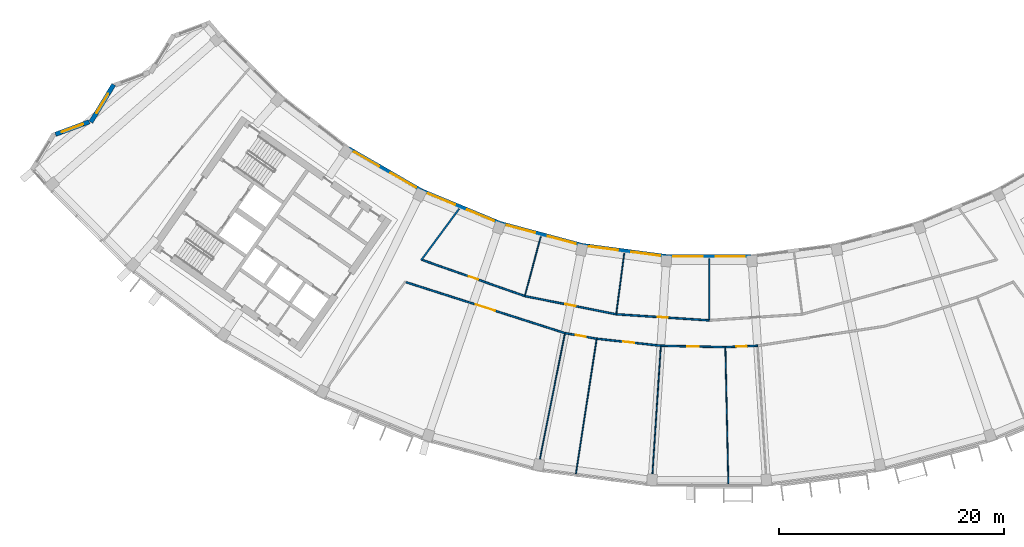
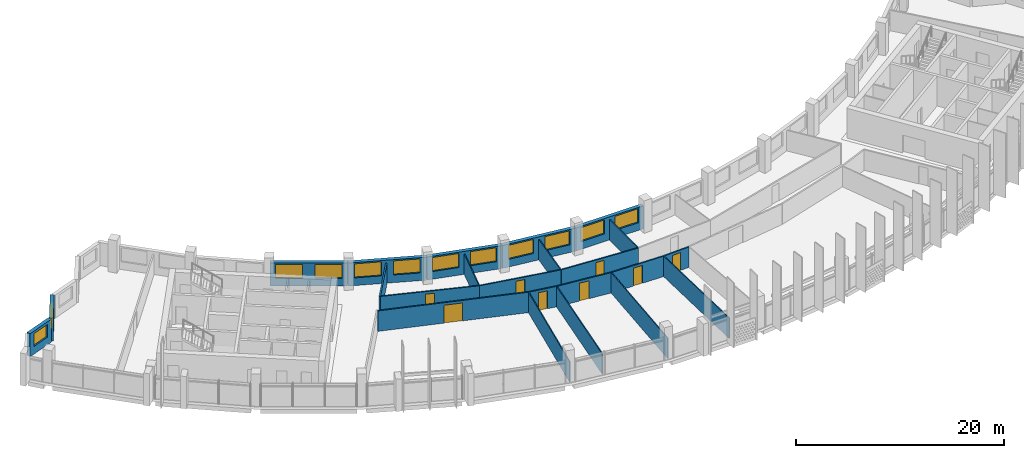
# One storey, part 4 of 28: 23 walls, 12 windows, 8 doors, 20 openings.
"""IFC4 building model written with IfcOpenShell, lengths in metres."""

from ifc_helpers import new_model, si_unit, direction, frame, frame_2d, origin, place, context, subcontext, project, spatial, rectangle, extrude, material, layer, layer_set, type_object, element, fill, save


model = new_model("IFC4")

# Units and contexts
model_context = context("Model", 3, precision=1e-05, world=origin(), true_north=direction((0.0, 1.0)))
body_context = subcontext(model_context, "Body", "Model", "MODEL_VIEW")
ifc_project = project(units=[si_unit("LENGTHUNIT", "METRE"), si_unit("AREAUNIT", "SQUARE_METRE"), si_unit("VOLUMEUNIT", "CUBIC_METRE"), si_unit("PLANEANGLEUNIT", "RADIAN"), si_unit("MASSUNIT", "GRAM", prefix="KILO")], contexts=[model_context])

# Site, building, storey
site_placement = place(None, origin())
site = spatial("IfcSite", under=ifc_project, at=site_placement, CompositionType="ELEMENT")
building_placement = place(site_placement, origin())
building = spatial("IfcBuilding", under=site, at=building_placement, Name="Qamariyya Broadcast Tower", CompositionType="ELEMENT")
storey_placement = place(building_placement, frame((0.0, 0.0, 273.300048828125)))
storey = spatial("IfcBuildingStorey", under=building, at=storey_placement, Name="L66", CompositionType="ELEMENT", Elevation=273.300048828125)

# Wall, opening, door
ifc_material_1 = material(Name="Gypsum board partition")
ifc_layer_1 = layer(ifc_material_1, 0.14990234375)
ifc_layer_set_1 = layer_set([ifc_layer_1], Name="Corridor partition 150 EI 60")
wall_type_1 = type_object("IfcWallType", Name="Corridor partition 150 EI 60", PredefinedType="PARTITIONING", material=ifc_layer_set_1)
wall_1_placement = place(storey_placement, frame((-12.8369140625, -64.53564453125, 0.0), z_axis=(0.0, 0.0, 1.0), x_axis=(-0.952317244824, 0.305109595408, 0.0)))
wall_1 = element("IfcWall", 1, at=wall_1_placement, inside=storey, type_object=wall_type_1, Name="Partition L66-003", PredefinedType="PARTITIONING", context=body_context, shape_type="SweptSolid", body=[
    extrude(rectangle(XDim=14.857666015625, YDim=0.14990234375, at=frame_2d((7.4287109375, 0.0))), origin(), (0.0, 0.0, 1.0), 2.39990234375),
])
opening_1_placement = place(wall_1_placement, frame((6.52880859375, 0.0, 0.0)))
opening_1 = element("IfcOpeningElement", 2, at=opening_1_placement, cuts=wall_1, Name="Opening L66-D01", PredefinedType="OPENING", context=body_context, shape_type="SweptSolid", body=[
    extrude(rectangle(XDim=1.800048828125, YDim=2.10009765625, at=frame_2d((0.89990234375, 1.050048828125))), frame((0.0, 0.0849609375, 0.0), z_axis=(0.0, -1.0, 0.0), x_axis=(1.0, 0.0, 0.0)), (0.0, 0.0, 1.0), 0.169921875),
])
ifc_material_2 = material(Name="Timber fire door leaf", Category="wood")
door_type_1 = type_object("IfcDoorType", Name="Double fire door 1800 x 2100 FD60", OperationType="NOTDEFINED", PredefinedType="DOOR", material=ifc_material_2)
door_1_placement = place(opening_1_placement, origin())
door_1 = element("IfcDoor", 3, at=door_1_placement, inside=storey, type_object=door_type_1, Name="Door L66-D01", OperationType="DOUBLE_DOOR_SINGLE_SWING", OverallHeight=2.10009765625, OverallWidth=1.800048828125, PredefinedType="DOOR", context=body_context, shape_type="SweptSolid", body=[
    extrude(rectangle(XDim=1.800048828125, YDim=2.10009765625, at=frame_2d((0.89990234375, 1.050048828125))), frame((0.0, 0.02490234375, 0.0), z_axis=(0.0, -1.0, 0.0), x_axis=(1.0, 0.0, 0.0)), (0.0, 0.0, 1.0), 0.050048828125),
])
fill(opening_1, door_1)

wall_2_placement = place(storey_placement, frame((-25.52734375, -58.027587890625, 0.0), z_axis=(0.0, 0.0, 1.0), x_axis=(0.94318552037, -0.332266570941, 0.0)))
wall_2 = element("IfcWall", 4, at=wall_2_placement, inside=storey, type_object=wall_type_1, Name="Partition L66-004", PredefinedType="PARTITIONING", context=body_context, shape_type="SweptSolid", body=[
    extrude(rectangle(XDim=9.66748046875, YDim=0.14990234375, at=frame_2d((4.833740234375, 0.0))), origin(), (0.0, 0.0, 1.0), 2.39990234375),
])
opening_2_placement = place(wall_2_placement, frame((4.3837890625, 0.0, 0.0)))
opening_2 = element("IfcOpeningElement", 5, at=opening_2_placement, cuts=wall_2, Name="Opening L66-D08", PredefinedType="OPENING", context=body_context, shape_type="SweptSolid", body=[
    extrude(rectangle(XDim=0.89990234375, YDim=2.10009765625, at=frame_2d((0.449951171875, 1.050048828125))), frame((0.0, 0.0849609375, 0.0), z_axis=(0.0, -1.0, 0.0), x_axis=(1.0, 0.0, 0.0)), (0.0, 0.0, 1.0), 0.169921875),
])
door_type_2 = type_object("IfcDoorType", Name="Fire door 900 x 2100 FD60", OperationType="NOTDEFINED", PredefinedType="DOOR", material=ifc_material_2)
door_2_placement = place(opening_2_placement, origin())
door_2 = element("IfcDoor", 6, at=door_2_placement, inside=storey, type_object=door_type_2, Name="Door L66-D08", OperationType="SINGLE_SWING_RIGHT", OverallHeight=2.10009765625, OverallWidth=0.89990234375, PredefinedType="DOOR", context=body_context, shape_type="SweptSolid", body=[
    extrude(rectangle(XDim=0.89990234375, YDim=2.10009765625, at=frame_2d((0.449951171875, 1.050048828125))), frame((0.0, 0.02490234375, 0.0), z_axis=(0.0, -1.0, 0.0), x_axis=(1.0, 0.0, 0.0)), (0.0, 0.0, 1.0), 0.050048828125),
])
fill(opening_2, door_2)

# Wall
wall_3_placement = place(storey_placement, frame((-22.251953125, -53.469482421875, 0.0), z_axis=(0.0, 0.0, 1.0), x_axis=(-0.593872728047, -0.804558999006, 0.0)))
element("IfcWall", 7, at=wall_3_placement, inside=storey, type_object=wall_type_1, Name="Partition L66-005", PredefinedType="PARTITIONING", context=body_context, shape_type="SweptSolid", body=[
    extrude(rectangle(XDim=5.709228515625, YDim=0.14990234375, at=frame_2d((2.8544921875, 0.0))), origin(), (0.0, 0.0, 1.0), 2.39990234375),
])

# Wall, opening, door
wall_4_placement = place(storey_placement, frame((-16.4091796875, -61.23974609375, 0.0), z_axis=(0.0, 0.0, 1.0), x_axis=(0.98078508005, -0.195091329256, 0.0)))
wall_4 = element("IfcWall", 8, at=wall_4_placement, inside=storey, type_object=wall_type_1, Name="Partition L66-006", PredefinedType="PARTITIONING", context=body_context, shape_type="SweptSolid", body=[
    extrude(rectangle(XDim=8.293212890625, YDim=0.14990234375, at=frame_2d((4.146484375, 0.0))), origin(), (0.0, 0.0, 1.0), 2.39990234375),
])
opening_3_placement = place(wall_4_placement, frame((3.696533203125, 0.0, 0.0)))
opening_3 = element("IfcOpeningElement", 9, at=opening_3_placement, cuts=wall_4, Name="Opening L66-D09", PredefinedType="OPENING", context=body_context, shape_type="SweptSolid", body=[
    extrude(rectangle(XDim=0.89990234375, YDim=2.10009765625, at=frame_2d((0.449951171875, 1.050048828125))), frame((0.0, 0.0849609375, 0.0), z_axis=(0.0, -1.0, 0.0), x_axis=(1.0, 0.0, 0.0)), (0.0, 0.0, 1.0), 0.169921875),
])
door_3_placement = place(opening_3_placement, origin())
door_3 = element("IfcDoor", 10, at=door_3_placement, inside=storey, type_object=door_type_2, Name="Door L66-D09", OperationType="SINGLE_SWING_RIGHT", OverallHeight=2.10009765625, OverallWidth=0.89990234375, PredefinedType="DOOR", context=body_context, shape_type="SweptSolid", body=[
    extrude(rectangle(XDim=0.89990234375, YDim=2.10009765625, at=frame_2d((0.449951171875, 1.050048828125))), frame((0.0, 0.02490234375, 0.0), z_axis=(0.0, -1.0, 0.0), x_axis=(1.0, 0.0, 0.0)), (0.0, 0.0, 1.0), 0.050048828125),
])
fill(opening_3, door_3)

wall_5_placement = place(storey_placement, frame((-10.011474609375, -65.033935546875, 0.0), z_axis=(0.0, 0.0, 1.0), x_axis=(-0.984802399532, 0.173678536027, 0.0)))
wall_5 = element("IfcWall", 11, at=wall_5_placement, inside=storey, type_object=wall_type_1, Name="Partition L66-009", PredefinedType="PARTITIONING", context=body_context, shape_type="SweptSolid", body=[
    extrude(rectangle(XDim=2.869140625, YDim=0.14990234375, at=frame_2d((1.4345703125, 0.0))), origin(), (0.0, 0.0, 1.0), 2.39990234375),
])
opening_4_placement = place(wall_5_placement, frame((0.984619140625, 0.0, 0.0)))
opening_4 = element("IfcOpeningElement", 12, at=opening_4_placement, cuts=wall_5, Name="Opening L66-D02", PredefinedType="OPENING", context=body_context, shape_type="SweptSolid", body=[
    extrude(rectangle(XDim=0.89990234375, YDim=2.10009765625, at=frame_2d((0.449951171875, 1.050048828125))), frame((0.0, 0.0849609375, 0.0), z_axis=(0.0, -1.0, 0.0), x_axis=(1.0, 0.0, 0.0)), (0.0, 0.0, 1.0), 0.169921875),
])
door_4_placement = place(opening_4_placement, origin())
door_4 = element("IfcDoor", 13, at=door_4_placement, inside=storey, type_object=door_type_2, Name="Door L66-D02", OperationType="SINGLE_SWING_RIGHT", OverallHeight=2.10009765625, OverallWidth=0.89990234375, PredefinedType="DOOR", context=body_context, shape_type="SweptSolid", body=[
    extrude(rectangle(XDim=0.89990234375, YDim=2.10009765625, at=frame_2d((0.449951171875, 1.050048828125))), frame((0.0, 0.02490234375, 0.0), z_axis=(0.0, -1.0, 0.0), x_axis=(1.0, 0.0, 0.0)), (0.0, 0.0, 1.0), 0.050048828125),
])
fill(opening_4, door_4)

wall_6_placement = place(storey_placement, frame((-4.303466796875, -65.6591796875, 0.0), z_axis=(0.0, 0.0, 1.0), x_axis=(-0.99405415906, 0.108886770802, 0.0)))
wall_6 = element("IfcWall", 14, at=wall_6_placement, inside=storey, type_object=wall_type_1, Name="Partition L66-011", PredefinedType="PARTITIONING", context=body_context, shape_type="SweptSolid", body=[
    extrude(rectangle(XDim=5.7421875, YDim=0.14990234375, at=frame_2d((2.87109375, 0.0))), origin(), (0.0, 0.0, 1.0), 2.39990234375),
])
opening_5_placement = place(wall_6_placement, frame((2.37109375, 0.0, 0.0)))
opening_5 = element("IfcOpeningElement", 15, at=opening_5_placement, cuts=wall_6, Name="Opening L66-D03", PredefinedType="OPENING", context=body_context, shape_type="SweptSolid", body=[
    extrude(rectangle(XDim=1.0, YDim=2.10009765625, at=frame_2d((0.5, 1.050048828125))), frame((0.0, 0.0849609375, 0.0), z_axis=(0.0, -1.0, 0.0), x_axis=(1.0, 0.0, 0.0)), (0.0, 0.0, 1.0), 0.169921875),
])
door_type_3 = type_object("IfcDoorType", Name="Fire door 1000 x 2100 FD60", OperationType="NOTDEFINED", PredefinedType="DOOR", material=ifc_material_2)
door_5_placement = place(opening_5_placement, origin())
door_5 = element("IfcDoor", 16, at=door_5_placement, inside=storey, type_object=door_type_3, Name="Door L66-D03", OperationType="SINGLE_SWING_RIGHT", OverallHeight=2.10009765625, OverallWidth=1.0, PredefinedType="DOOR", context=body_context, shape_type="SweptSolid", body=[
    extrude(rectangle(XDim=1.0, YDim=2.10009765625, at=frame_2d((0.5, 1.050048828125))), frame((0.0, 0.02490234375, 0.0), z_axis=(0.0, -1.0, 0.0), x_axis=(1.0, 0.0, 0.0)), (0.0, 0.0, 1.0), 0.050048828125),
])
fill(opening_5, door_5)

wall_7_placement = place(storey_placement, frame((-8.275390625, -62.857666015625, 0.0), z_axis=(0.0, 0.0, 1.0), x_axis=(0.997860193426, -0.065383747038, 0.0)))
wall_7 = element("IfcWall", 17, at=wall_7_placement, inside=storey, type_object=wall_type_1, Name="Partition L66-012", PredefinedType="PARTITIONING", context=body_context, shape_type="SweptSolid", body=[
    extrude(rectangle(XDim=8.293212890625, YDim=0.14990234375, at=frame_2d((4.146484375, 0.0))), origin(), (0.0, 0.0, 1.0), 2.39990234375),
])
opening_6_placement = place(wall_7_placement, frame((3.696533203125, 0.0, 0.0)))
opening_6 = element("IfcOpeningElement", 18, at=opening_6_placement, cuts=wall_7, Name="Opening L66-D10", PredefinedType="OPENING", context=body_context, shape_type="SweptSolid", body=[
    extrude(rectangle(XDim=0.89990234375, YDim=2.10009765625, at=frame_2d((0.449951171875, 1.050048828125))), frame((0.0, 0.0849609375, 0.0), z_axis=(0.0, -1.0, 0.0), x_axis=(1.0, 0.0, 0.0)), (0.0, 0.0, 1.0), 0.169921875),
])
door_6_placement = place(opening_6_placement, origin())
door_6 = element("IfcDoor", 19, at=door_6_placement, inside=storey, type_object=door_type_2, Name="Door L66-D10", OperationType="SINGLE_SWING_RIGHT", OverallHeight=2.10009765625, OverallWidth=0.89990234375, PredefinedType="DOOR", context=body_context, shape_type="SweptSolid", body=[
    extrude(rectangle(XDim=0.89990234375, YDim=2.10009765625, at=frame_2d((0.449951171875, 1.050048828125))), frame((0.0, 0.02490234375, 0.0), z_axis=(0.0, -1.0, 0.0), x_axis=(1.0, 0.0, 0.0)), (0.0, 0.0, 1.0), 0.050048828125),
])
fill(opening_6, door_6)

wall_8_placement = place(storey_placement, frame((1.437255859375, -65.7841796875, 0.0), z_axis=(0.0, 0.0, 1.0), x_axis=(-0.999763025016, 0.021769102186, 0.0)))
wall_8 = element("IfcWall", 20, at=wall_8_placement, inside=storey, type_object=wall_type_1, Name="Partition L66-015", PredefinedType="PARTITIONING", context=body_context, shape_type="SweptSolid", body=[
    extrude(rectangle(XDim=5.7421875, YDim=0.14990234375, at=frame_2d((2.87109375, 0.0))), origin(), (0.0, 0.0, 1.0), 2.39990234375),
])
opening_7_placement = place(wall_8_placement, frame((2.37109375, 0.0, 0.0)))
opening_7 = element("IfcOpeningElement", 21, at=opening_7_placement, cuts=wall_8, Name="Opening L66-D04", PredefinedType="OPENING", context=body_context, shape_type="SweptSolid", body=[
    extrude(rectangle(XDim=1.0, YDim=2.10009765625, at=frame_2d((0.5, 1.050048828125))), frame((0.0, 0.0849609375, 0.0), z_axis=(0.0, -1.0, 0.0), x_axis=(1.0, 0.0, 0.0)), (0.0, 0.0, 1.0), 0.169921875),
])
door_7_placement = place(opening_7_placement, origin())
door_7 = element("IfcDoor", 22, at=door_7_placement, inside=storey, type_object=door_type_3, Name="Door L66-D04", OperationType="SINGLE_SWING_RIGHT", OverallHeight=2.10009765625, OverallWidth=1.0, PredefinedType="DOOR", context=body_context, shape_type="SweptSolid", body=[
    extrude(rectangle(XDim=1.0, YDim=2.10009765625, at=frame_2d((0.5, 1.050048828125))), frame((0.0, 0.02490234375, 0.0), z_axis=(0.0, -1.0, 0.0), x_axis=(1.0, 0.0, 0.0)), (0.0, 0.0, 1.0), 0.050048828125),
])
fill(opening_7, door_7)

wall_9_placement = place(storey_placement, frame((4.303466796875, -65.6591796875, 0.0), z_axis=(0.0, 0.0, 1.0), x_axis=(-0.999050369269, -0.043570169426, 0.0)))
wall_9 = element("IfcWall", 23, at=wall_9_placement, inside=storey, type_object=wall_type_1, Name="Partition L66-018", PredefinedType="PARTITIONING", context=body_context, shape_type="SweptSolid", body=[
    extrude(rectangle(XDim=2.868896484375, YDim=0.14990234375, at=frame_2d((1.4345703125, 0.0))), origin(), (0.0, 0.0, 1.0), 2.39990234375),
])
opening_8_placement = place(wall_9_placement, frame((0.984619140625, 0.0, 0.0)))
opening_8 = element("IfcOpeningElement", 24, at=opening_8_placement, cuts=wall_9, Name="Opening L66-D05", PredefinedType="OPENING", context=body_context, shape_type="SweptSolid", body=[
    extrude(rectangle(XDim=0.89990234375, YDim=2.10009765625, at=frame_2d((0.449951171875, 1.050048828125))), frame((0.0, 0.0849609375, 0.0), z_axis=(0.0, -1.0, 0.0), x_axis=(1.0, 0.0, 0.0)), (0.0, 0.0, 1.0), 0.169921875),
])
door_8_placement = place(opening_8_placement, origin())
door_8 = element("IfcDoor", 25, at=door_8_placement, inside=storey, type_object=door_type_2, Name="Door L66-D05", OperationType="SINGLE_SWING_RIGHT", OverallHeight=2.10009765625, OverallWidth=0.89990234375, PredefinedType="DOOR", context=body_context, shape_type="SweptSolid", body=[
    extrude(rectangle(XDim=0.89990234375, YDim=2.10009765625, at=frame_2d((0.449951171875, 1.050048828125))), frame((0.0, 0.02490234375, 0.0), z_axis=(0.0, -1.0, 0.0), x_axis=(1.0, 0.0, 0.0)), (0.0, 0.0, 1.0), 0.050048828125),
])
fill(opening_8, door_8)

# Walls
ifc_layer_2 = layer(ifc_material_1, 0.10009765625)
ifc_layer_set_2 = layer_set([ifc_layer_2], Name="Partition 100")
wall_type_2 = type_object("IfcWallType", Name="Partition 100", PredefinedType="PARTITIONING", material=ifc_layer_set_2)
wall_10_placement = place(storey_placement, frame((-15.246337890625, -76.6484375, 0.0), z_axis=(0.0, 0.0, 1.0), x_axis=(0.195090980681, 0.980785149386, 0.0)))
element("IfcWall", 26, at=wall_10_placement, inside=storey, type_object=wall_type_2, Name="Partition L66-007", PredefinedType="PARTITIONING", context=body_context, shape_type="SweptSolid", body=[
    extrude(rectangle(XDim=12.275146484375, YDim=0.10009765625, at=frame_2d((6.1376953125, 0.0))), origin(), (0.0, 0.0, 1.0), 2.39990234375),
])
wall_11_placement = place(storey_placement, frame((-14.992431640625, -55.952880859375, 0.0), z_axis=(0.0, 0.0, 1.0), x_axis=(-0.258825000964, -0.965924230401, 0.0)))
element("IfcWall", 27, at=wall_11_placement, inside=storey, type_object=wall_type_2, Name="Partition L66-008", PredefinedType="PARTITIONING", context=body_context, shape_type="SweptSolid", body=[
    extrude(rectangle(XDim=5.398193359375, YDim=0.10009765625, at=frame_2d((2.69921875, 0.0))), origin(), (0.0, 0.0, 1.0), 2.39990234375),
])
wall_12_placement = place(storey_placement, frame((-11.867919921875, -77.0927734375, 0.0), z_axis=(0.0, 0.0, 1.0), x_axis=(0.152152499911, 0.988357028999, 0.0)))
element("IfcWall", 28, at=wall_12_placement, inside=storey, type_object=wall_type_2, Name="Partition L66-010", PredefinedType="PARTITIONING", context=body_context, shape_type="SweptSolid", body=[
    extrude(rectangle(XDim=12.125732421875, YDim=0.10009765625, at=frame_2d((6.06298828125, 0.0))), origin(), (0.0, 0.0, 1.0), 2.39990234375),
])
wall_13_placement = place(storey_placement, frame((-7.56103515625, -57.430908203125, 0.0), z_axis=(0.0, 0.0, 1.0), x_axis=(-0.130516514475, -0.991446135425, 0.0)))
element("IfcWall", 29, at=wall_13_placement, inside=storey, type_object=wall_type_2, Name="Partition L66-013", PredefinedType="PARTITIONING", context=body_context, shape_type="SweptSolid", body=[
    extrude(rectangle(XDim=5.3984375, YDim=0.10009765625, at=frame_2d((2.69921875, 0.0))), origin(), (0.0, 0.0, 1.0), 2.39990234375),
])
wall_14_placement = place(storey_placement, frame((-5.111328125, -77.982666015625, 0.0), z_axis=(0.0, 0.0, 1.0), x_axis=(0.065415386497, 0.997858119779, 0.0)))
element("IfcWall", 30, at=wall_14_placement, inside=storey, type_object=wall_type_2, Name="Partition L66-014", PredefinedType="PARTITIONING", context=body_context, shape_type="SweptSolid", body=[
    extrude(rectangle(XDim=12.275146484375, YDim=0.10009765625, at=frame_2d((6.1376953125, 0.0))), origin(), (0.0, 0.0, 1.0), 2.39990234375),
])
wall_15_placement = place(storey_placement, frame((0.0, -57.926513671875, 0.0), z_axis=(0.0, 0.0, 1.0), x_axis=(0.0, -1.0, 0.0)))
element("IfcWall", 31, at=wall_15_placement, inside=storey, type_object=wall_type_2, Name="Partition L66-017", PredefinedType="PARTITIONING", context=body_context, shape_type="SweptSolid", body=[
    extrude(rectangle(XDim=5.3984375, YDim=0.10009765625, at=frame_2d((2.69921875, 0.0))), origin(), (0.0, 0.0, 1.0), 2.39990234375),
])
wall_16_placement = place(storey_placement, frame((1.703857421875, -77.982177734375, 0.0), z_axis=(0.0, 0.0, 1.0), x_axis=(-0.02184555579, 0.999761357371, 0.0)))
element("IfcWall", 32, at=wall_16_placement, inside=storey, type_object=wall_type_2, Name="Partition L66-019", PredefinedType="PARTITIONING", context=body_context, shape_type="SweptSolid", body=[
    extrude(rectangle(XDim=12.125732421875, YDim=0.10009765625, at=frame_2d((6.06298828125, 0.0))), origin(), (0.0, 0.0, 1.0), 2.39990234375),
])

# Wall, opening, window
ifc_material_3 = material(Name="Terracotta", Category="masonry")
ifc_layer_3 = layer(ifc_material_3, 0.39990234375)
ifc_layer_set_3 = layer_set([ifc_layer_3], Name="Terracotta clad wall 400")
wall_type_3 = type_object("IfcWallType", Name="Terracotta clad wall 400", PredefinedType="SOLIDWALL", material=ifc_layer_set_3)
wall_17_placement = place(storey_placement, frame((-52.9931640625, -42.418701171875, 0.0), z_axis=(0.0, 0.0, 1.0), x_axis=(-0.519972680958, -0.854182890871, 0.0)))
wall_17 = element("IfcWall", 33, at=wall_17_placement, inside=storey, type_object=wall_type_3, Name="e-wl-L66-capW3", PredefinedType="SOLIDWALL", context=body_context, shape_type="SweptSolid", body=[
    extrude(rectangle(XDim=3.91259765625, YDim=0.39990234375, at=frame_2d((1.956298828125, 0.0))), origin(), (0.0, 0.0, 1.0), 2.699951171875),
])
opening_9_placement = place(wall_17_placement, frame((0.956298828125, 0.0, 0.89990234375)))
opening_9 = element("IfcOpeningElement", 34, at=opening_9_placement, cuts=wall_17, Name="Opening W4", PredefinedType="OPENING", context=body_context, shape_type="SweptSolid", body=[
    extrude(rectangle(XDim=2.0, YDim=1.5, at=frame_2d((1.0, 0.75))), frame((0.0, 0.2099609375, 0.0), z_axis=(0.0, -1.0, 0.0), x_axis=(1.0, 0.0, 0.0)), (0.0, 0.0, 1.0), 0.419921875),
])
ifc_material_4 = material(Name="Clear low-e double glazed unit in aluminium frame", Category="aluminium")
window_type_1 = type_object("IfcWindowType", Name="Horn bay window 2000 x 1500", PartitioningType="SINGLE_PANEL", PredefinedType="WINDOW", material=ifc_material_4)
window_1_placement = place(opening_9_placement, origin())
window_1 = element("IfcWindow", 35, at=window_1_placement, inside=storey, type_object=window_type_1, Name="e-w-L66-capW3", OverallHeight=1.5, OverallWidth=2.0, PartitioningType="SINGLE_PANEL", PredefinedType="WINDOW", context=body_context, shape_type="SweptSolid", body=[
    extrude(rectangle(XDim=2.0, YDim=1.5, at=frame_2d((1.0, 0.75))), frame((0.0, 0.030029296875, 0.0), z_axis=(0.0, -1.0, 0.0), x_axis=(1.0, 0.0, 0.0)), (0.0, 0.0, 1.0), 0.06005859375),
])
fill(opening_9, window_1)

wall_18_placement = place(storey_placement, frame((-55.170654296875, -45.73095703125, 0.0), z_axis=(0.0, 0.0, 1.0), x_axis=(-0.937788327383, -0.347207507153, 0.0)))
wall_18 = element("IfcWall", 36, at=wall_18_placement, inside=storey, type_object=wall_type_3, Name="e-wl-L66-capW4", PredefinedType="SOLIDWALL", context=body_context, shape_type="SweptSolid", body=[
    extrude(rectangle(XDim=3.199951171875, YDim=0.39990234375, at=frame_2d((1.60009765625, 0.0))), origin(), (0.0, 0.0, 1.0), 2.699951171875),
])
opening_10_placement = place(wall_18_placement, frame((0.60009765625, 0.0, 0.89990234375)))
opening_10 = element("IfcOpeningElement", 37, at=opening_10_placement, cuts=wall_18, Name="Opening W4", PredefinedType="OPENING", context=body_context, shape_type="SweptSolid", body=[
    extrude(rectangle(XDim=2.0, YDim=1.5, at=frame_2d((1.0, 0.75))), frame((0.0, 0.2099609375, 0.0), z_axis=(0.0, -1.0, 0.0), x_axis=(1.0, 0.0, 0.0)), (0.0, 0.0, 1.0), 0.419921875),
])
window_2_placement = place(opening_10_placement, origin())
window_2 = element("IfcWindow", 38, at=window_2_placement, inside=storey, type_object=window_type_1, Name="e-w-L66-capW4", OverallHeight=1.5, OverallWidth=2.0, PartitioningType="SINGLE_PANEL", PredefinedType="WINDOW", context=body_context, shape_type="SweptSolid", body=[
    extrude(rectangle(XDim=2.0, YDim=1.5, at=frame_2d((1.0, 0.75))), frame((0.0, 0.030029296875, 0.0), z_axis=(0.0, -1.0, 0.0), x_axis=(1.0, 0.0, 0.0)), (0.0, 0.0, 1.0), 0.06005859375),
])
fill(opening_10, window_2)

# Wall, openings, windows
wall_19_placement = place(storey_placement, frame((-25.630615234375, -51.859130859375, 0.0), z_axis=(0.0, 0.0, 1.0), x_axis=(-0.866016763373, 0.500014965334, 0.0)))
wall_19 = element("IfcWall", 39, at=wall_19_placement, inside=storey, type_object=wall_type_3, Name="e-wl-L66-in30", PredefinedType="SOLIDWALL", context=body_context, shape_type="SweptSolid", body=[
    extrude(rectangle(XDim=7.465576171875, YDim=0.39990234375, at=frame_2d((3.73291015625, 0.0))), origin(), (0.0, 0.0, 1.0), 2.699951171875),
])
opening_11_placement = place(wall_19_placement, frame((4.318115234375, 0.0, 0.89990234375)))
opening_11 = element("IfcOpeningElement", 40, at=opening_11_placement, cuts=wall_19, Name="Opening W1", PredefinedType="OPENING", context=body_context, shape_type="SweptSolid", body=[
    extrude(rectangle(XDim=2.60009765625, YDim=1.64990234375, at=frame_2d((1.300048828125, 0.824951171875))), frame((0.0, 0.2099609375, 0.0), z_axis=(0.0, -1.0, 0.0), x_axis=(1.0, 0.0, 0.0)), (0.0, 0.0, 1.0), 0.419921875),
])
opening_12_placement = place(wall_19_placement, frame((0.547607421875, 0.0, 0.89990234375)))
opening_12 = element("IfcOpeningElement", 41, at=opening_12_placement, cuts=wall_19, Name="Opening W1", PredefinedType="OPENING", context=body_context, shape_type="SweptSolid", body=[
    extrude(rectangle(XDim=2.60009765625, YDim=1.64990234375, at=frame_2d((1.300048828125, 0.824951171875))), frame((0.0, 0.2099609375, 0.0), z_axis=(0.0, -1.0, 0.0), x_axis=(1.0, 0.0, 0.0)), (0.0, 0.0, 1.0), 0.419921875),
])
window_type_2 = type_object("IfcWindowType", Name="Ribbon window 2600 x 1650", PartitioningType="SINGLE_PANEL", PredefinedType="WINDOW", material=ifc_material_4)
window_3_placement = place(opening_11_placement, origin())
window_3 = element("IfcWindow", 42, at=window_3_placement, inside=storey, type_object=window_type_2, Name="e-w-L66-in03-0", OverallHeight=1.64990234375, OverallWidth=2.60009765625, PartitioningType="SINGLE_PANEL", PredefinedType="WINDOW", context=body_context, shape_type="SweptSolid", body=[
    extrude(rectangle(XDim=2.60009765625, YDim=1.64990234375, at=frame_2d((1.300048828125, 0.824951171875))), frame((0.0, 0.030029296875, 0.0), z_axis=(0.0, -1.0, 0.0), x_axis=(1.0, 0.0, 0.0)), (0.0, 0.0, 1.0), 0.06005859375),
])
fill(opening_11, window_3)
window_4_placement = place(opening_12_placement, origin())
window_4 = element("IfcWindow", 43, at=window_4_placement, inside=storey, type_object=window_type_2, Name="e-w-L66-in03-1", OverallHeight=1.64990234375, OverallWidth=2.60009765625, PartitioningType="SINGLE_PANEL", PredefinedType="WINDOW", context=body_context, shape_type="SweptSolid", body=[
    extrude(rectangle(XDim=2.60009765625, YDim=1.64990234375, at=frame_2d((1.300048828125, 0.824951171875))), frame((0.0, 0.030029296875, 0.0), z_axis=(0.0, -1.0, 0.0), x_axis=(1.0, 0.0, 0.0)), (0.0, 0.0, 1.0), 0.06005859375),
])
fill(opening_12, window_4)

wall_20_placement = place(storey_placement, frame((-18.572265625, -54.789794921875, 0.0), z_axis=(0.0, 0.0, 1.0), x_axis=(-0.923887531937, 0.382664119472, 0.0)))
wall_20 = element("IfcWall", 44, at=wall_20_placement, inside=storey, type_object=wall_type_3, Name="e-wl-L66-in40", PredefinedType="SOLIDWALL", context=body_context, shape_type="SweptSolid", body=[
    extrude(rectangle(XDim=7.6171875, YDim=0.39990234375, at=frame_2d((3.80859375, 0.0))), origin(), (0.0, 0.0, 1.0), 2.699951171875),
])
opening_13_placement = place(wall_20_placement, frame((4.393798828125, 0.0, 0.89990234375)))
opening_13 = element("IfcOpeningElement", 45, at=opening_13_placement, cuts=wall_20, Name="Opening W1", PredefinedType="OPENING", context=body_context, shape_type="SweptSolid", body=[
    extrude(rectangle(XDim=2.60009765625, YDim=1.64990234375, at=frame_2d((1.300048828125, 0.824951171875))), frame((0.0, 0.2099609375, 0.0), z_axis=(0.0, -1.0, 0.0), x_axis=(1.0, 0.0, 0.0)), (0.0, 0.0, 1.0), 0.419921875),
])
opening_14_placement = place(wall_20_placement, frame((0.623291015625, 0.0, 0.89990234375)))
opening_14 = element("IfcOpeningElement", 46, at=opening_14_placement, cuts=wall_20, Name="Opening W1", PredefinedType="OPENING", context=body_context, shape_type="SweptSolid", body=[
    extrude(rectangle(XDim=2.60009765625, YDim=1.64990234375, at=frame_2d((1.300048828125, 0.824951171875))), frame((0.0, 0.2099609375, 0.0), z_axis=(0.0, -1.0, 0.0), x_axis=(1.0, 0.0, 0.0)), (0.0, 0.0, 1.0), 0.419921875),
])
window_5_placement = place(opening_13_placement, origin())
window_5 = element("IfcWindow", 47, at=window_5_placement, inside=storey, type_object=window_type_2, Name="e-w-L66-in04-0", OverallHeight=1.64990234375, OverallWidth=2.60009765625, PartitioningType="SINGLE_PANEL", PredefinedType="WINDOW", context=body_context, shape_type="SweptSolid", body=[
    extrude(rectangle(XDim=2.60009765625, YDim=1.64990234375, at=frame_2d((1.300048828125, 0.824951171875))), frame((0.0, 0.030029296875, 0.0), z_axis=(0.0, -1.0, 0.0), x_axis=(1.0, 0.0, 0.0)), (0.0, 0.0, 1.0), 0.06005859375),
])
fill(opening_13, window_5)
window_6_placement = place(opening_14_placement, origin())
window_6 = element("IfcWindow", 48, at=window_6_placement, inside=storey, type_object=window_type_2, Name="e-w-L66-in04-1", OverallHeight=1.64990234375, OverallWidth=2.60009765625, PartitioningType="SINGLE_PANEL", PredefinedType="WINDOW", context=body_context, shape_type="SweptSolid", body=[
    extrude(rectangle(XDim=2.60009765625, YDim=1.64990234375, at=frame_2d((1.300048828125, 0.824951171875))), frame((0.0, 0.030029296875, 0.0), z_axis=(0.0, -1.0, 0.0), x_axis=(1.0, 0.0, 0.0)), (0.0, 0.0, 1.0), 0.06005859375),
])
fill(opening_14, window_6)

wall_21_placement = place(storey_placement, frame((-11.3349609375, -56.725830078125, 0.0), z_axis=(0.0, 0.0, 1.0), x_axis=(-0.965923236695, 0.258828709406, 0.0)))
wall_21 = element("IfcWall", 49, at=wall_21_placement, inside=storey, type_object=wall_type_3, Name="e-wl-L66-in50", PredefinedType="SOLIDWALL", context=body_context, shape_type="SweptSolid", body=[
    extrude(rectangle(XDim=7.4658203125, YDim=0.39990234375, at=frame_2d((3.73291015625, 0.0))), origin(), (0.0, 0.0, 1.0), 2.699951171875),
])
opening_15_placement = place(wall_21_placement, frame((4.318115234375, 0.0, 0.89990234375)))
opening_15 = element("IfcOpeningElement", 50, at=opening_15_placement, cuts=wall_21, Name="Opening W1", PredefinedType="OPENING", context=body_context, shape_type="SweptSolid", body=[
    extrude(rectangle(XDim=2.60009765625, YDim=1.64990234375, at=frame_2d((1.300048828125, 0.824951171875))), frame((0.0, 0.2099609375, 0.0), z_axis=(0.0, -1.0, 0.0), x_axis=(1.0, 0.0, 0.0)), (0.0, 0.0, 1.0), 0.419921875),
])
opening_16_placement = place(wall_21_placement, frame((0.547607421875, 0.0, 0.89990234375)))
opening_16 = element("IfcOpeningElement", 51, at=opening_16_placement, cuts=wall_21, Name="Opening W1", PredefinedType="OPENING", context=body_context, shape_type="SweptSolid", body=[
    extrude(rectangle(XDim=2.60009765625, YDim=1.64990234375, at=frame_2d((1.300048828125, 0.824951171875))), frame((0.0, 0.2099609375, 0.0), z_axis=(0.0, -1.0, 0.0), x_axis=(1.0, 0.0, 0.0)), (0.0, 0.0, 1.0), 0.419921875),
])
window_7_placement = place(opening_15_placement, origin())
window_7 = element("IfcWindow", 52, at=window_7_placement, inside=storey, type_object=window_type_2, Name="e-w-L66-in05-0", OverallHeight=1.64990234375, OverallWidth=2.60009765625, PartitioningType="SINGLE_PANEL", PredefinedType="WINDOW", context=body_context, shape_type="SweptSolid", body=[
    extrude(rectangle(XDim=2.60009765625, YDim=1.64990234375, at=frame_2d((1.300048828125, 0.824951171875))), frame((0.0, 0.030029296875, 0.0), z_axis=(0.0, -1.0, 0.0), x_axis=(1.0, 0.0, 0.0)), (0.0, 0.0, 1.0), 0.06005859375),
])
fill(opening_15, window_7)
window_8_placement = place(opening_16_placement, origin())
window_8 = element("IfcWindow", 53, at=window_8_placement, inside=storey, type_object=window_type_2, Name="e-w-L66-in05-1", OverallHeight=1.64990234375, OverallWidth=2.60009765625, PartitioningType="SINGLE_PANEL", PredefinedType="WINDOW", context=body_context, shape_type="SweptSolid", body=[
    extrude(rectangle(XDim=2.60009765625, YDim=1.64990234375, at=frame_2d((1.300048828125, 0.824951171875))), frame((0.0, 0.030029296875, 0.0), z_axis=(0.0, -1.0, 0.0), x_axis=(1.0, 0.0, 0.0)), (0.0, 0.0, 1.0), 0.06005859375),
])
fill(opening_16, window_8)

wall_22_placement = place(storey_placement, frame((-3.7587890625, -57.729736328125, 0.0), z_axis=(0.0, 0.0, 1.0), x_axis=(-0.991446548217, 0.130513378733, 0.0)))
wall_22 = element("IfcWall", 54, at=wall_22_placement, inside=storey, type_object=wall_type_3, Name="e-wl-L66-in60", PredefinedType="SOLIDWALL", context=body_context, shape_type="SweptSolid", body=[
    extrude(rectangle(XDim=7.6171875, YDim=0.39990234375, at=frame_2d((3.80859375, 0.0))), origin(), (0.0, 0.0, 1.0), 2.699951171875),
])
opening_17_placement = place(wall_22_placement, frame((4.393798828125, 0.0, 0.89990234375)))
opening_17 = element("IfcOpeningElement", 55, at=opening_17_placement, cuts=wall_22, Name="Opening W1", PredefinedType="OPENING", context=body_context, shape_type="SweptSolid", body=[
    extrude(rectangle(XDim=2.60009765625, YDim=1.64990234375, at=frame_2d((1.300048828125, 0.824951171875))), frame((0.0, 0.2099609375, 0.0), z_axis=(0.0, -1.0, 0.0), x_axis=(1.0, 0.0, 0.0)), (0.0, 0.0, 1.0), 0.419921875),
])
opening_18_placement = place(wall_22_placement, frame((0.623291015625, 0.0, 0.89990234375)))
opening_18 = element("IfcOpeningElement", 56, at=opening_18_placement, cuts=wall_22, Name="Opening W1", PredefinedType="OPENING", context=body_context, shape_type="SweptSolid", body=[
    extrude(rectangle(XDim=2.60009765625, YDim=1.64990234375, at=frame_2d((1.300048828125, 0.824951171875))), frame((0.0, 0.2099609375, 0.0), z_axis=(0.0, -1.0, 0.0), x_axis=(1.0, 0.0, 0.0)), (0.0, 0.0, 1.0), 0.419921875),
])
window_9_placement = place(opening_17_placement, origin())
window_9 = element("IfcWindow", 57, at=window_9_placement, inside=storey, type_object=window_type_2, Name="e-w-L66-in06-0", OverallHeight=1.64990234375, OverallWidth=2.60009765625, PartitioningType="SINGLE_PANEL", PredefinedType="WINDOW", context=body_context, shape_type="SweptSolid", body=[
    extrude(rectangle(XDim=2.60009765625, YDim=1.64990234375, at=frame_2d((1.300048828125, 0.824951171875))), frame((0.0, 0.030029296875, 0.0), z_axis=(0.0, -1.0, 0.0), x_axis=(1.0, 0.0, 0.0)), (0.0, 0.0, 1.0), 0.06005859375),
])
fill(opening_17, window_9)
window_10_placement = place(opening_18_placement, origin())
window_10 = element("IfcWindow", 58, at=window_10_placement, inside=storey, type_object=window_type_2, Name="e-w-L66-in06-1", OverallHeight=1.64990234375, OverallWidth=2.60009765625, PartitioningType="SINGLE_PANEL", PredefinedType="WINDOW", context=body_context, shape_type="SweptSolid", body=[
    extrude(rectangle(XDim=2.60009765625, YDim=1.64990234375, at=frame_2d((1.300048828125, 0.824951171875))), frame((0.0, 0.030029296875, 0.0), z_axis=(0.0, -1.0, 0.0), x_axis=(1.0, 0.0, 0.0)), (0.0, 0.0, 1.0), 0.06005859375),
])
fill(opening_18, window_10)

wall_23_placement = place(storey_placement, frame((3.73291015625, -57.7265625, 0.0), z_axis=(0.0, 0.0, 1.0), x_axis=(-1.0, 0.0, 0.0)))
wall_23 = element("IfcWall", 59, at=wall_23_placement, inside=storey, type_object=wall_type_3, Name="e-wl-L66-in70", PredefinedType="SOLIDWALL", context=body_context, shape_type="SweptSolid", body=[
    extrude(rectangle(XDim=7.4658203125, YDim=0.39990234375, at=frame_2d((3.73291015625, 0.0))), origin(), (0.0, 0.0, 1.0), 2.699951171875),
])
opening_19_placement = place(wall_23_placement, frame((4.318115234375, 0.0, 0.89990234375)))
opening_19 = element("IfcOpeningElement", 60, at=opening_19_placement, cuts=wall_23, Name="Opening W1", PredefinedType="OPENING", context=body_context, shape_type="SweptSolid", body=[
    extrude(rectangle(XDim=2.60009765625, YDim=1.64990234375, at=frame_2d((1.300048828125, 0.824951171875))), frame((0.0, 0.2099609375, 0.0), z_axis=(0.0, -1.0, 0.0), x_axis=(1.0, 0.0, 0.0)), (0.0, 0.0, 1.0), 0.419921875),
])
opening_20_placement = place(wall_23_placement, frame((0.547607421875, 0.0, 0.89990234375)))
opening_20 = element("IfcOpeningElement", 61, at=opening_20_placement, cuts=wall_23, Name="Opening W1", PredefinedType="OPENING", context=body_context, shape_type="SweptSolid", body=[
    extrude(rectangle(XDim=2.60009765625, YDim=1.64990234375, at=frame_2d((1.300048828125, 0.824951171875))), frame((0.0, 0.2099609375, 0.0), z_axis=(0.0, -1.0, 0.0), x_axis=(1.0, 0.0, 0.0)), (0.0, 0.0, 1.0), 0.419921875),
])
window_11_placement = place(opening_19_placement, origin())
window_11 = element("IfcWindow", 62, at=window_11_placement, inside=storey, type_object=window_type_2, Name="e-w-L66-in07-0", OverallHeight=1.64990234375, OverallWidth=2.60009765625, PartitioningType="SINGLE_PANEL", PredefinedType="WINDOW", context=body_context, shape_type="SweptSolid", body=[
    extrude(rectangle(XDim=2.60009765625, YDim=1.64990234375, at=frame_2d((1.300048828125, 0.824951171875))), frame((0.0, 0.030029296875, 0.0), z_axis=(0.0, -1.0, 0.0), x_axis=(1.0, 0.0, 0.0)), (0.0, 0.0, 1.0), 0.06005859375),
])
fill(opening_19, window_11)
window_12_placement = place(opening_20_placement, origin())
window_12 = element("IfcWindow", 63, at=window_12_placement, inside=storey, type_object=window_type_2, Name="e-w-L66-in07-1", OverallHeight=1.64990234375, OverallWidth=2.60009765625, PartitioningType="SINGLE_PANEL", PredefinedType="WINDOW", context=body_context, shape_type="SweptSolid", body=[
    extrude(rectangle(XDim=2.60009765625, YDim=1.64990234375, at=frame_2d((1.300048828125, 0.824951171875))), frame((0.0, 0.030029296875, 0.0), z_axis=(0.0, -1.0, 0.0), x_axis=(1.0, 0.0, 0.0)), (0.0, 0.0, 1.0), 0.06005859375),
])
fill(opening_20, window_12)

save(model, "model.ifc")
